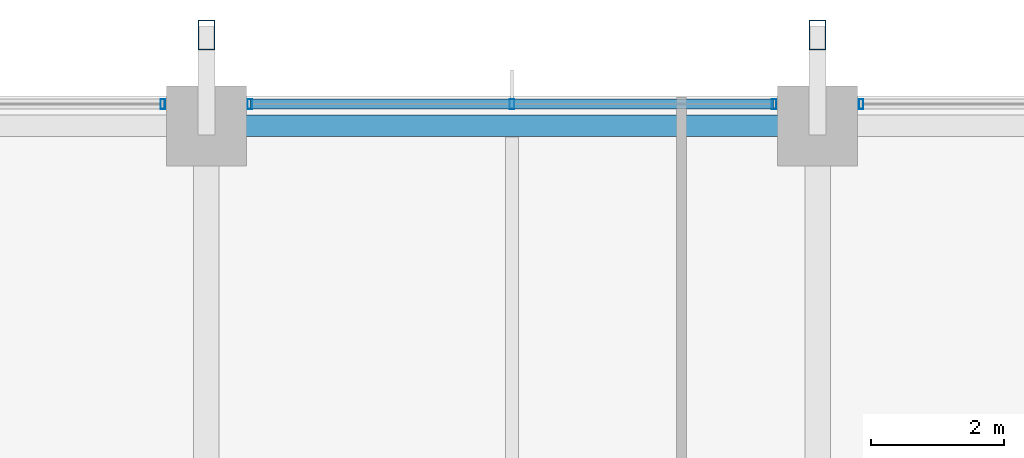
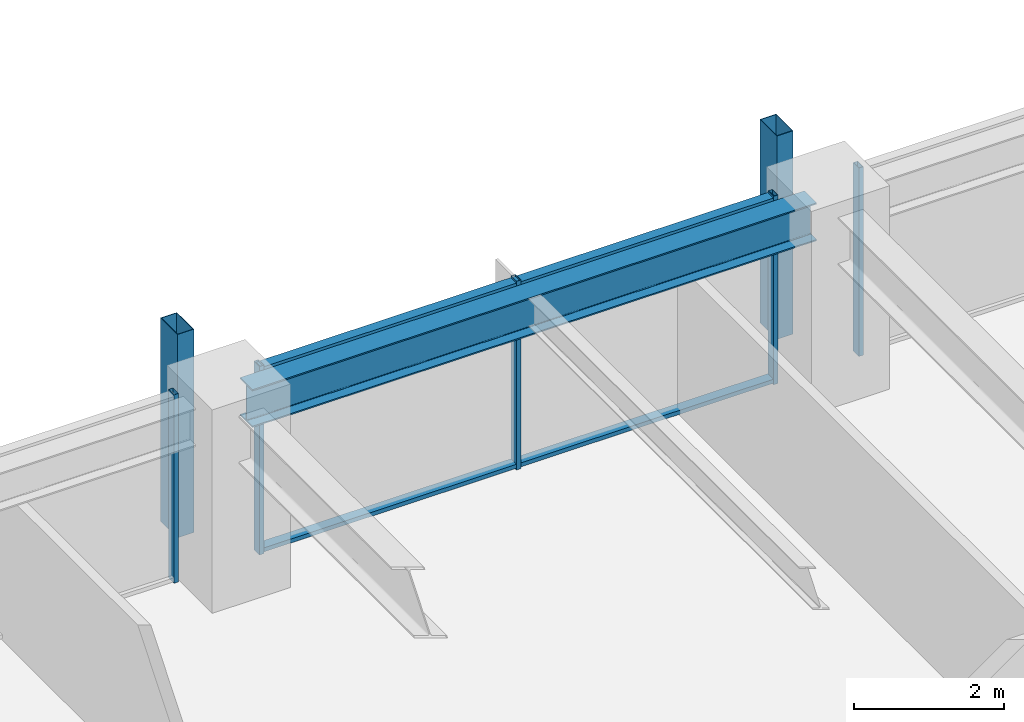
# One storey, part 21 of 36: 9 members, 1 beam, 3 elements without a shape of their own.
"""IFC4 building model written with IfcOpenShell, lengths in metres."""

from ifc_helpers import new_model, si_unit, direction, frame, origin, origin_2d, place, context, subcontext, project, spatial, hollow_rectangle, i_section, extrude, material, material_profile, profile_set, type_object, element, aggregate, save


model = new_model("IFC4")

# Units and contexts
model_context = context("Model", 3, precision=1e-05, world=origin(), true_north=direction((0.0, 1.0)))
body_context = subcontext(model_context, "Body", "Model", "MODEL_VIEW")
ifc_project = project(units=[si_unit("LENGTHUNIT", "METRE"), si_unit("AREAUNIT", "SQUARE_METRE"), si_unit("VOLUMEUNIT", "CUBIC_METRE"), si_unit("PLANEANGLEUNIT", "RADIAN"), si_unit("MASSUNIT", "GRAM", prefix="KILO")], contexts=[model_context])

# Site, building, storey
site_placement = place(None, origin())
site = spatial("IfcSite", under=ifc_project, at=site_placement, CompositionType="ELEMENT")
building_placement = place(site_placement, origin())
building = spatial("IfcBuilding", under=site, at=building_placement, Name="Kolvaren Belvedere", CompositionType="ELEMENT")
storey_placement = place(building_placement, frame((0.0, 0.0, 46.89990234375)))
storey = spatial("IfcBuildingStorey", under=building, at=storey_placement, Name="L13", CompositionType="ELEMENT", Elevation=46.89990234375)

# Beam
ifc_material_1 = material(Name="Structural steel ASTM A992 Grade 50", Category="steel")
ifc_material_profile_1 = material_profile(ifc_material_1, i_section(OverallWidth=0.324951171875, OverallDepth=0.615966796875, WebThickness=0.013916015625, FlangeThickness=0.021484375, FilletRadius=0.02001953125, at=origin_2d()), Name="W24X117")
ifc_profile_set_1 = profile_set([ifc_material_profile_1], Name="Structural steel ASTM A992 Grade 50")
beam_type = type_object("IfcBeamType", Name="BM-SPAN-W24X117", PredefinedType="SPANDREL", material=ifc_profile_set_1)
beam_placement = place(storey_placement, frame((4.330078125, 21.550048828125, 2.752197265625), z_axis=(-1.0, 0.0, 0.0), x_axis=(0.0, -1.0, 0.0)))
element("IfcBeam", 1, at=beam_placement, inside=storey, type_object=beam_type, Name="L13 Perimeter Spandrel N3-N2", PredefinedType="SPANDREL", context=body_context, shape_type="SweptSolid", body=[
    extrude(i_section(OverallWidth=0.324951171875, OverallDepth=0.615966796875, WebThickness=0.013916015625, FlangeThickness=0.021484375, FilletRadius=0.02001953125, at=origin_2d()), origin(), (0.0, 0.0, 1.0), 8.66015625),
])

# Curtain wall, member
ifc_material_2 = material(Name="Anodised pale-metal aluminium AA 6063-T6", Category="aluminium")
curtain_wall_type = type_object("IfcCurtainWallType", Name="CW-Z1-LOW", PredefinedType="NOTDEFINED", material=ifc_material_2)
curtain_wall_1_placement = place(storey_placement, origin())
curtain_wall_1 = element("IfcCurtainWall", 2, at=curtain_wall_1_placement, inside=storey, type_object=curtain_wall_type, Name="L13 Unitised Curtain Wall FCW-L13-N-B1", PredefinedType="NOTDEFINED")
ifc_material_3 = material(Name="Anodised pale-metal aluminium AA 6063-T6", Category="aluminium")
ifc_material_profile_2 = material_profile(ifc_material_3, hollow_rectangle(XDim=0.070068359375, YDim=0.14990234375, WallThickness=0.004150390625, at=origin_2d()), Name="ALU-MUL-150X70")
ifc_profile_set_2 = profile_set([ifc_material_profile_2], Name="Anodised pale-metal aluminium AA 6063-T6")
member_type_1 = type_object("IfcMemberType", Name="CW-MUL-150", PredefinedType="MULLION", material=ifc_profile_set_2)
member_1_placement = place(storey_placement, frame((-5.2548828125, 21.8798828125, 0.0), z_axis=(0.0, 0.0, 1.0), x_axis=(1.0, 0.0, 0.0)))
member_1 = element("IfcMember", 3, at=member_1_placement, type_object=member_type_1, Name="FCW-L13-N-B1 Unitised Mullion 3", PredefinedType="MULLION", context=body_context, shape_type="SweptSolid", body=[
    extrude(hollow_rectangle(XDim=0.070068359375, YDim=0.14990234375, WallThickness=0.004150390625, at=origin_2d()), origin(), (0.0, 0.0, 1.0), 3.06005859375),
])
aggregate(curtain_wall_1, [member_1])

# Curtain wall, members
curtain_wall_2_placement = place(storey_placement, origin())
curtain_wall_2 = element("IfcCurtainWall", 4, at=curtain_wall_2_placement, inside=storey, type_object=curtain_wall_type, Name="L13 Unitised Curtain Wall FCW-L13-N-B2", PredefinedType="NOTDEFINED")
member_2_placement = place(storey_placement, frame((-3.945068359375, 21.8798828125, 0.0), z_axis=(0.0, 0.0, 1.0), x_axis=(1.0, 0.0, 0.0)))
member_2 = element("IfcMember", 5, at=member_2_placement, type_object=member_type_1, Name="FCW-L13-N-B2 Unitised Mullion 1", PredefinedType="MULLION", context=body_context, shape_type="SweptSolid", body=[
    extrude(hollow_rectangle(XDim=0.070068359375, YDim=0.14990234375, WallThickness=0.004150390625, at=origin_2d()), origin(), (0.0, 0.0, 1.0), 3.06005859375),
])
member_3_placement = place(storey_placement, frame((0.0, 21.8798828125, 0.0), z_axis=(0.0, 0.0, 1.0), x_axis=(1.0, 0.0, 0.0)))
member_3 = element("IfcMember", 6, at=member_3_placement, type_object=member_type_1, Name="FCW-L13-N-B2 Unitised Mullion 2", PredefinedType="MULLION", context=body_context, shape_type="SweptSolid", body=[
    extrude(hollow_rectangle(XDim=0.070068359375, YDim=0.14990234375, WallThickness=0.004150390625, at=origin_2d()), origin(), (0.0, 0.0, 1.0), 3.06005859375),
])
member_4_placement = place(storey_placement, frame((3.945068359375, 21.8798828125, 0.0), z_axis=(0.0, 0.0, 1.0), x_axis=(1.0, 0.0, 0.0)))
member_4 = element("IfcMember", 7, at=member_4_placement, type_object=member_type_1, Name="FCW-L13-N-B2 Unitised Mullion 3", PredefinedType="MULLION", context=body_context, shape_type="SweptSolid", body=[
    extrude(hollow_rectangle(XDim=0.070068359375, YDim=0.14990234375, WallThickness=0.004150390625, at=origin_2d()), origin(), (0.0, 0.0, 1.0), 3.06005859375),
])

# Curtain wall, member
curtain_wall_3_placement = place(storey_placement, origin())
curtain_wall_3 = element("IfcCurtainWall", 8, at=curtain_wall_3_placement, inside=storey, type_object=curtain_wall_type, Name="L13 Unitised Curtain Wall FCW-L13-N-B3", PredefinedType="NOTDEFINED")
member_5_placement = place(storey_placement, frame((5.2548828125, 21.8798828125, 0.0), z_axis=(0.0, 0.0, 1.0), x_axis=(1.0, 0.0, 0.0)))
member_5 = element("IfcMember", 9, at=member_5_placement, type_object=member_type_1, Name="FCW-L13-N-B3 Unitised Mullion 1", PredefinedType="MULLION", context=body_context, shape_type="SweptSolid", body=[
    extrude(hollow_rectangle(XDim=0.070068359375, YDim=0.14990234375, WallThickness=0.004150390625, at=origin_2d()), origin(), (0.0, 0.0, 1.0), 3.06005859375),
])
aggregate(curtain_wall_3, [member_5])

# Member
ifc_material_4 = material(Name="Anodised pale-metal aluminium AA 6063-T6", Category="aluminium")
ifc_material_profile_3 = material_profile(ifc_material_4, hollow_rectangle(XDim=0.06494140625, YDim=0.14990234375, WallThickness=0.00390625, at=origin_2d()), Name="ALU-TRN-150X65")
ifc_profile_set_3 = profile_set([ifc_material_profile_3], Name="Anodised pale-metal aluminium AA 6063-T6")
member_type_2 = type_object("IfcMemberType", Name="CW-TRN-150", PredefinedType="USERDEFINED", material=ifc_profile_set_3)
member_6_placement = place(storey_placement, frame((-3.945068359375, 21.8798828125, 0.06005859375), z_axis=(1.0, 0.0, 0.0), x_axis=(0.0, 0.0, 1.0)))
member_6 = element("IfcMember", 10, at=member_6_placement, type_object=member_type_2, Name="FCW-L13-N-B2 Sill Transom", ObjectType="TRANSOM", PredefinedType="USERDEFINED", context=body_context, shape_type="SweptSolid", body=[
    extrude(hollow_rectangle(XDim=0.06494140625, YDim=0.14990234375, WallThickness=0.00390625, at=origin_2d()), origin(), (0.0, 0.0, 1.0), 7.89013671875),
])

member_7_placement = place(storey_placement, frame((-3.945068359375, 21.8798828125, 3.0), z_axis=(1.0, 0.0, 0.0), x_axis=(0.0, 0.0, 1.0)))
member_7 = element("IfcMember", 11, at=member_7_placement, type_object=member_type_2, Name="FCW-L13-N-B2 Head Transom", ObjectType="TRANSOM", PredefinedType="USERDEFINED", context=body_context, shape_type="SweptSolid", body=[
    extrude(hollow_rectangle(XDim=0.06494140625, YDim=0.14990234375, WallThickness=0.00390625, at=origin_2d()), origin(), (0.0, 0.0, 1.0), 7.89013671875),
])

aggregate(curtain_wall_2, [member_2, member_3, member_4, member_6, member_7])

# Members
ifc_material_5 = material(Name="Anodised pale-metal aluminium AA 6063-T6", Category="aluminium")
ifc_material_profile_4 = material_profile(ifc_material_5, hollow_rectangle(XDim=0.25, YDim=0.449951171875, WallThickness=0.008544921875, at=origin_2d()), Name="ALU-PF-450X250")
ifc_profile_set_4 = profile_set([ifc_material_profile_4], Name="Anodised pale-metal aluminium AA 6063-T6")
member_type_3 = type_object("IfcMemberType", Name="PF-FRAME-450", PredefinedType="USERDEFINED", material=ifc_profile_set_4)
for number, where, z_axis, x_axis, name in (
    (12, (-4.60009765625, 22.919921875, 0.0), (0.0, 0.0, 1.0), (1.0, 0.0, 0.0), "L13 Outboard Picture-Frame Vertical N1"),
    (13, (4.60009765625, 22.919921875, 0.0), (0.0, 0.0, 1.0), (1.0, 0.0, 0.0), "L13 Outboard Picture-Frame Vertical N2"),
):
    element("IfcMember", number, at=place(storey_placement, frame(where, z_axis=z_axis, x_axis=x_axis)), inside=storey, type_object=member_type_3, Name=name, ObjectType="PICTURE FRAME FIN", PredefinedType="USERDEFINED", context=body_context, shape_type="SweptSolid", body=[
        extrude(hollow_rectangle(XDim=0.25, YDim=0.449951171875, WallThickness=0.008544921875, at=origin_2d()), origin(), (0.0, 0.0, 1.0), 3.300048828125),
    ])

save(model, "model.ifc")
